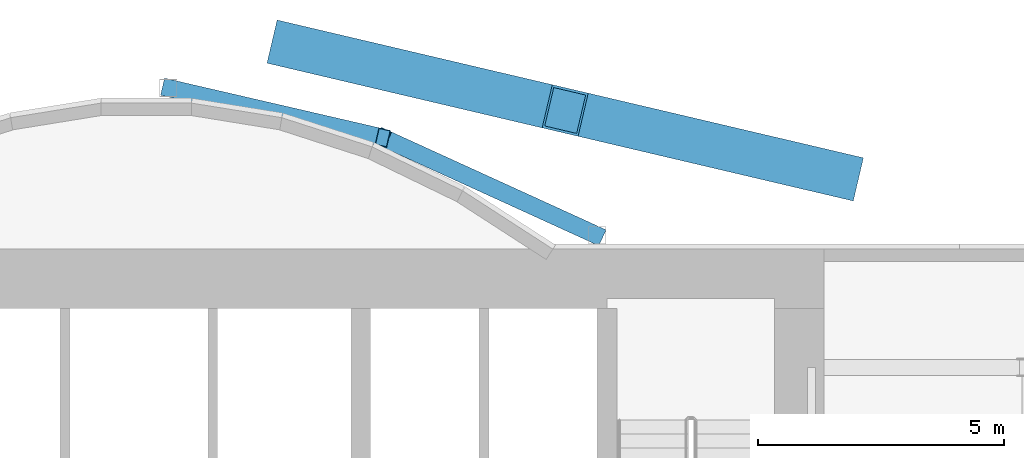
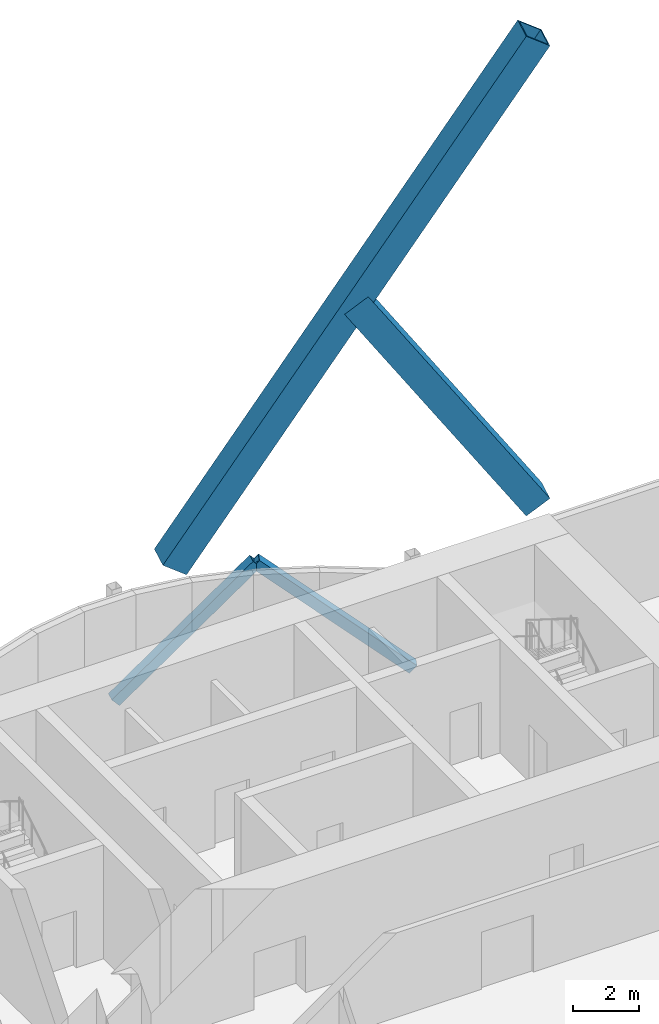
# One storey, part 13 of 22: 4 members.
"""IFC4 building model written with IfcOpenShell, lengths in metres."""

from ifc_helpers import new_model, si_unit, direction, frame, origin, origin_2d, place, context, subcontext, project, spatial, hollow_rectangle, extrude, material, material_profile, profile_set, type_object, element, save


model = new_model("IFC4")

# Units and contexts
model_context = context("Model", 3, precision=1e-05, world=origin(), true_north=direction((0.0, 1.0)))
body_context = subcontext(model_context, "Body", "Model", "MODEL_VIEW")
ifc_project = project(units=[si_unit("LENGTHUNIT", "METRE"), si_unit("AREAUNIT", "SQUARE_METRE"), si_unit("VOLUMEUNIT", "CUBIC_METRE"), si_unit("PLANEANGLEUNIT", "RADIAN"), si_unit("MASSUNIT", "GRAM", prefix="KILO")], contexts=[model_context])

# Site, building, storey
site_placement = place(None, origin())
site = spatial("IfcSite", under=ifc_project, at=site_placement, CompositionType="ELEMENT")
building_placement = place(site_placement, origin())
building = spatial("IfcBuilding", under=site, at=building_placement, Name="Bicima Exchange Tower", CompositionType="ELEMENT")
storey_placement = place(building_placement, frame((0.0, 0.0, 254.0)))
storey = spatial("IfcBuildingStorey", under=building, at=storey_placement, Name="L57", CompositionType="ELEMENT", Elevation=254.0)

# Members
ifc_material = material(Name="Steel ASTM A572 Gr 50", Category="steel")
ifc_material_profile_1 = material_profile(ifc_material, hollow_rectangle(XDim=0.89990234375, YDim=0.89990234375, WallThickness=0.050048828125, at=origin_2d()))
ifc_profile_set_1 = profile_set([ifc_material_profile_1], Name="Steel ASTM A572 Gr 50")
member_type_1 = type_object("IfcMemberType", Name="Exo mega brace BOX 900x900x50", PredefinedType="BRACE", material=ifc_profile_set_1)
member_1_placement = place(storey_placement, frame((11.166748046875, 4.125, 3.699951171875), z_axis=(0.540119586829, -0.126970260999, 0.831955157893), x_axis=(0.228840031766, 0.973464041381, 0.0)))
element("IfcMember", 1, at=member_1_placement, inside=storey, type_object=member_type_1, Name="Exo mega brace rear", PredefinedType="BRACE", context=body_context, shape_type="SweptSolid", body=[
    extrude(hollow_rectangle(XDim=0.89990234375, YDim=0.89990234375, WallThickness=0.050048828125, at=origin_2d()), origin(), (0.0, 0.0, 1.0), 20.674072265625),
])
member_2_placement = place(storey_placement, frame((22.333251953125, 1.5, 3.699951171875), z_axis=(-0.540114280438, 0.126969013583, 0.831958793244), x_axis=(-0.228840031766, -0.973464041381, 0.0)))
element("IfcMember", 2, at=member_2_placement, inside=storey, type_object=member_type_1, Name="Exo mega brace rear", PredefinedType="BRACE", context=body_context, shape_type="SweptSolid", body=[
    extrude(hollow_rectangle(XDim=0.89990234375, YDim=0.89990234375, WallThickness=0.050048828125, at=origin_2d()), origin(), (0.0, 0.0, 1.0), 10.337158203125),
])
ifc_material_profile_2 = material_profile(ifc_material, hollow_rectangle(XDim=0.355712890625, YDim=0.355712890625, WallThickness=0.0146484375, at=origin_2d()))
ifc_profile_set_2 = profile_set([ifc_material_profile_2], Name="Steel ASTM A572 Gr 50")
member_type_2 = type_object("IfcMemberType", Name="Mega brace HSS14x14x5/8", PredefinedType="BRACE", material=ifc_profile_set_2)
member_3_placement = place(storey_placement, frame((8.699951171875, 3.26904296875, 0.0), z_axis=(0.709647653042, -0.164209073605, 0.68515369712), x_axis=(0.225438503722, 0.974257399787, 0.0)))
element("IfcMember", 3, at=member_3_placement, inside=storey, type_object=member_type_2, Name="Mega brace rexo", PredefinedType="BRACE", context=body_context, shape_type="SweptSolid", body=[
    extrude(hollow_rectangle(XDim=0.355712890625, YDim=0.355712890625, WallThickness=0.0146484375, at=origin_2d()), origin(), (0.0, 0.0, 1.0), 6.1298828125),
])
member_4_placement = place(storey_placement, frame((17.39990234375, 0.278076171875, 0.0), z_axis=(-0.683525692449, 0.311819993726, 0.659970392726), x_axis=(-0.415045223819, -0.909800781592, 0.0)))
element("IfcMember", 4, at=member_4_placement, inside=storey, type_object=member_type_2, Name="Mega brace rexo", PredefinedType="BRACE", context=body_context, shape_type="SweptSolid", body=[
    extrude(hollow_rectangle(XDim=0.355712890625, YDim=0.355712890625, WallThickness=0.0146484375, at=origin_2d()), origin(), (0.0, 0.0, 1.0), 6.36376953125),
])

save(model, "model.ifc")
